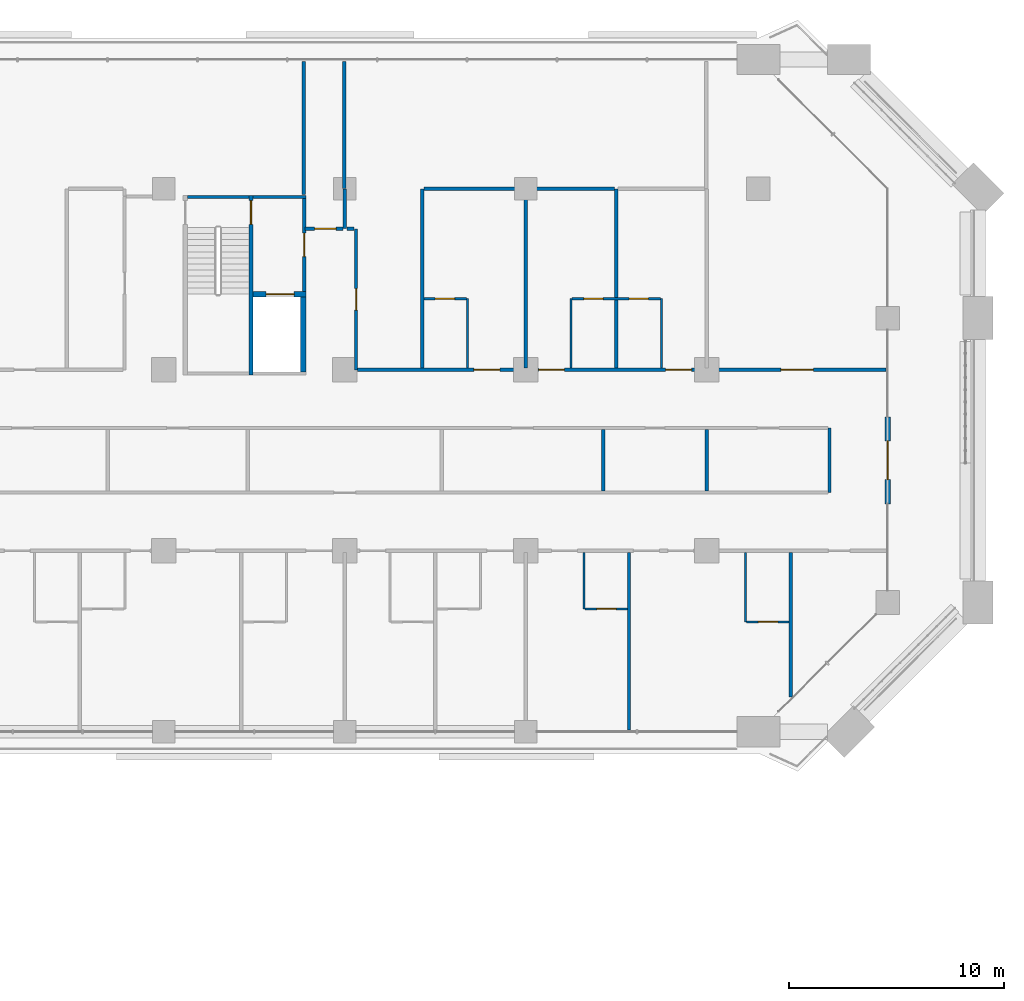
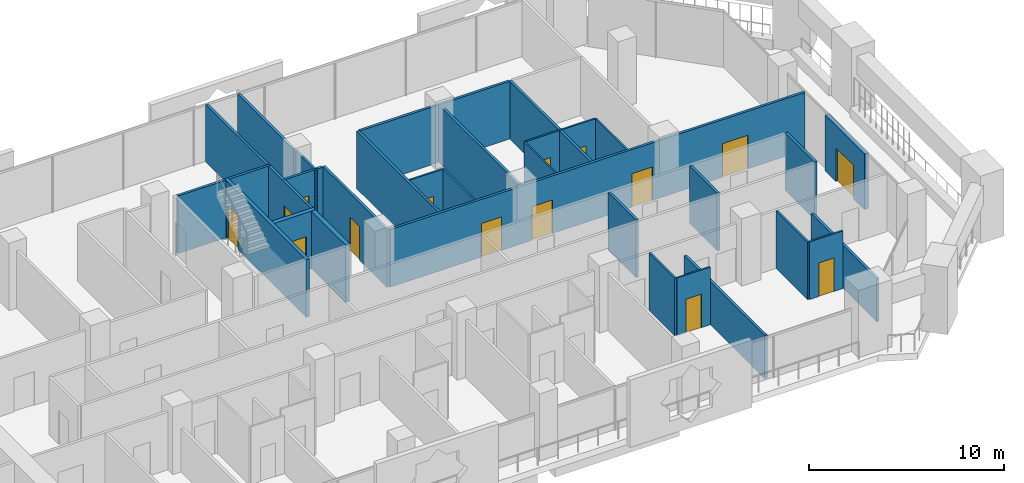
# One storey, part 18 of 25: 32 walls, 15 doors, 15 openings.
"""IFC4 building model written with IfcOpenShell, lengths in metres."""

from ifc_helpers import new_model, si_unit, direction, frame, frame_2d, origin, place, context, subcontext, project, spatial, rectangle, extrude, material, layer, layer_set, type_object, element, fill, save


model = new_model("IFC4")

# Units and contexts
model_context = context("Model", 3, precision=1e-05, world=origin(), true_north=direction((0.0, 1.0)))
body_context = subcontext(model_context, "Body", "Model", "MODEL_VIEW")
ifc_project = project(units=[si_unit("LENGTHUNIT", "METRE"), si_unit("AREAUNIT", "SQUARE_METRE"), si_unit("VOLUMEUNIT", "CUBIC_METRE"), si_unit("PLANEANGLEUNIT", "RADIAN"), si_unit("MASSUNIT", "GRAM", prefix="KILO")], contexts=[model_context])

# Site, building, storey
site_placement = place(None, origin())
site = spatial("IfcSite", under=ifc_project, at=site_placement, CompositionType="ELEMENT")
building_placement = place(site_placement, origin())
building = spatial("IfcBuilding", under=site, at=building_placement, Name="Kawkab Arch Medical Tower", CompositionType="ELEMENT")
storey_placement = place(building_placement, frame((0.0, 0.0, 111.39990234375)))
storey = spatial("IfcBuildingStorey", under=building, at=storey_placement, Name="L25", CompositionType="ELEMENT", Elevation=111.39990234375)

# Wall, opening, door
ifc_material_1 = material(Name="Gypsum board on steel studs", Category="steel")
ifc_layer_1 = layer(ifc_material_1, 0.14990234375)
ifc_layer_set_1 = layer_set([ifc_layer_1], Name="Gypsum board on steel studs")
wall_type_1 = type_object("IfcWallType", Name="Core room partition 150", PredefinedType="PARTITIONING", material=ifc_layer_set_1)
wall_1_placement = place(storey_placement, frame((48.52490234375, -4.77490234375, 0.0), z_axis=(0.0, 0.0, 1.0), x_axis=(0.0, 1.0, 0.0)))
wall_1 = element("IfcWall", 1, at=wall_1_placement, inside=storey, type_object=wall_type_1, Name="L25 core room partition", PredefinedType="PARTITIONING", context=body_context, shape_type="SweptSolid", body=[
    extrude(rectangle(XDim=4.324951171875, YDim=0.14990234375, at=frame_2d((2.16259765625, 0.0))), origin(), (0.0, 0.0, 1.0), 3.60009765625),
])
opening_1_placement = place(wall_1_placement, frame((1.625, 0.0, 0.0)))
opening_1 = element("IfcOpeningElement", 2, at=opening_1_placement, cuts=wall_1, Name="Opening FD", PredefinedType="OPENING", context=body_context, shape_type="SweptSolid", body=[
    extrude(rectangle(XDim=1.10009765625, YDim=2.10009765625, at=frame_2d((0.550048828125, 1.050048828125))), frame((0.0, 0.0849609375, 0.0), z_axis=(0.0, -1.0, 0.0), x_axis=(1.0, 0.0, 0.0)), (0.0, 0.0, 1.0), 0.169921875),
])
ifc_material_2 = material(Name="Hollow metal fire door leaf")
door_type_1 = type_object("IfcDoorType", Name="Firefighting lobby door 1100", OperationType="SINGLE_SWING_LEFT", PredefinedType="DOOR", material=ifc_material_2)
door_1_placement = place(opening_1_placement, origin())
door_1 = element("IfcDoor", 3, at=door_1_placement, inside=storey, type_object=door_type_1, Name="L25 Service lift lobby door SV1", OperationType="SINGLE_SWING_LEFT", OverallHeight=2.10009765625, OverallWidth=1.10009765625, PredefinedType="DOOR", context=body_context, shape_type="SweptSolid", body=[
    extrude(rectangle(XDim=1.10009765625, YDim=2.10009765625, at=frame_2d((0.550048828125, 1.050048828125))), frame((0.0, 0.02490234375, 0.0), z_axis=(0.0, -1.0, 0.0), x_axis=(1.0, 0.0, 0.0)), (0.0, 0.0, 1.0), 0.050048828125),
])
fill(opening_1, door_1)

ifc_material_3 = material(Name="Concrete C60/75", Category="concrete")
ifc_layer_2 = layer(ifc_material_3, 0.25)
ifc_layer_set_2 = layer_set([ifc_layer_2], Name="Concrete C60/75")
wall_type_2 = type_object("IfcWallType", Name="Core shear wall 250 C60/75", PredefinedType="SHEAR", material=ifc_layer_set_2)
wall_2_placement = place(storey_placement, frame((46.14990234375, -4.89990234375, 0.0), z_axis=(0.0, 0.0, 1.0), x_axis=(1.0, 0.0, 0.0)))
wall_2 = element("IfcWall", 4, at=wall_2_placement, inside=storey, type_object=wall_type_2, Name="L25 core shear wall", PredefinedType="SHEAR", context=body_context, shape_type="SweptSolid", body=[
    extrude(rectangle(XDim=2.4501953125, YDim=0.25, at=frame_2d((1.22509765625, 0.0))), origin(), (0.0, 0.0, 1.0), 3.60009765625),
])
opening_2_placement = place(wall_2_placement, frame((0.60009765625, 0.0, 0.0)))
opening_2 = element("IfcOpeningElement", 5, at=opening_2_placement, cuts=wall_2, Name="Opening LD2", PredefinedType="OPENING", context=body_context, shape_type="SweptSolid", body=[
    extrude(rectangle(XDim=1.300048828125, YDim=2.10009765625, at=frame_2d((0.64990234375, 1.050048828125))), frame((0.0, 0.135009765625, 0.0), z_axis=(0.0, -1.0, 0.0), x_axis=(1.0, 0.0, 0.0)), (0.0, 0.0, 1.0), 0.27001953125),
])
ifc_material_4 = material(Name="Stainless steel lift door leaf", Category="steel")
door_type_2 = type_object("IfcDoorType", Name="Lift landing door 1300", OperationType="DOUBLE_DOOR_SLIDING", PredefinedType="DOOR", material=ifc_material_4)
door_2_placement = place(opening_2_placement, origin())
door_2 = element("IfcDoor", 6, at=door_2_placement, inside=storey, type_object=door_type_2, Name="L25 Lift landing door SV1", OperationType="DOUBLE_DOOR_SLIDING", OverallHeight=2.10009765625, OverallWidth=1.300048828125, PredefinedType="DOOR", context=body_context, shape_type="SweptSolid", body=[
    extrude(rectangle(XDim=1.300048828125, YDim=2.10009765625, at=frame_2d((0.64990234375, 1.050048828125))), frame((0.0, 0.02490234375, 0.0), z_axis=(0.0, -1.0, 0.0), x_axis=(1.0, 0.0, 0.0)), (0.0, 0.0, 1.0), 0.050048828125),
])
fill(opening_2, door_2)

# Wall
wall_3_placement = place(storey_placement, frame((48.47509765625, -8.5, 0.0), z_axis=(0.0, 0.0, 1.0), x_axis=(0.0, 1.0, 0.0)))
element("IfcWall", 7, at=wall_3_placement, inside=storey, type_object=wall_type_2, Name="L25 core shear wall", PredefinedType="SHEAR", context=body_context, shape_type="SweptSolid", body=[
    extrude(rectangle(XDim=3.47509765625, YDim=0.25, at=frame_2d((1.737548828125, 0.0))), origin(), (0.0, 0.0, 1.0), 3.60009765625),
])

# Wall, opening, door
ifc_material_5 = material(Name="Bronze clad insulated wall panel")
ifc_layer_3 = layer(ifc_material_5, 0.25)
ifc_layer_set_3 = layer_set([ifc_layer_3], Name="Bronze clad insulated wall panel")
wall_type_3 = type_object("IfcWallType", Name="External wall bay 250", PredefinedType="SOLIDWALL", material=ifc_layer_set_3)
wall_4_placement = place(storey_placement, frame((75.60009765625, -14.61669921875, 0.0), z_axis=(0.0, 0.0, 1.0), x_axis=(0.0, 1.0, 0.0)))
wall_4 = element("IfcWall", 8, at=wall_4_placement, inside=storey, type_object=wall_type_3, Name="External wall bay L25.R09.1.2", PredefinedType="SOLIDWALL", context=body_context, shape_type="SweptSolid", body=[
    extrude(rectangle(XDim=4.033447265625, YDim=0.25, at=frame_2d((2.0166015625, 0.0))), origin(), (0.0, 0.0, 1.0), 3.47998046875),
])
opening_3_placement = place(wall_4_placement, frame((1.11669921875, 0.0, 0.0)))
opening_3 = element("IfcOpeningElement", 9, at=opening_3_placement, cuts=wall_4, Name="Opening W25-701", PredefinedType="OPENING", context=body_context, shape_type="SweptSolid", body=[
    extrude(rectangle(XDim=1.800048828125, YDim=2.10009765625, at=frame_2d((0.89990234375, 1.050048828125))), frame((0.0, 0.135009765625, 0.0), z_axis=(0.0, -1.0, 0.0), x_axis=(1.0, 0.0, 0.0)), (0.0, 0.0, 1.0), 0.27001953125),
])
ifc_material_6 = material(Name="Bronze anodised aluminium door with tinted glass", Category="aluminium")
door_type_3 = type_object("IfcDoorType", Name="Double external door 1800 x 2100", OperationType="DOUBLE_DOOR_SINGLE_SWING", PredefinedType="DOOR", material=ifc_material_6)
door_3_placement = place(opening_3_placement, origin())
door_3 = element("IfcDoor", 10, at=door_3_placement, inside=storey, type_object=door_type_3, Name="External door L25.R09.1.2", OperationType="DOUBLE_DOOR_SINGLE_SWING", OverallHeight=2.10009765625, OverallWidth=1.800048828125, PredefinedType="DOOR", context=body_context, shape_type="SweptSolid", body=[
    extrude(rectangle(XDim=1.800048828125, YDim=2.10009765625, at=frame_2d((0.89990234375, 1.050048828125))), frame((0.0, 0.02490234375, 0.0), z_axis=(0.0, -1.0, 0.0), x_axis=(1.0, 0.0, 0.0)), (0.0, 0.0, 1.0), 0.050048828125),
])
fill(opening_3, door_3)

ifc_material_7 = material(Name="Gypsum board partition on steel studs", Category="steel")
ifc_layer_4 = layer(ifc_material_7, 0.10009765625)
ifc_layer_set_4 = layer_set([ifc_layer_4], Name="Gypsum board partition on steel studs")
wall_type_4 = type_object("IfcWallType", Name="Partition 100", PredefinedType="PARTITIONING", material=ifc_layer_set_4)
wall_5_placement = place(storey_placement, frame((69.052001953125, -20.10009765625, 0.0), z_axis=(0.0, 0.0, 1.0), x_axis=(1.0, 0.0, 0.0)))
wall_5 = element("IfcWall", 11, at=wall_5_placement, inside=storey, type_object=wall_type_4, Name="Partition 100 w009", PredefinedType="PARTITIONING", context=body_context, shape_type="SweptSolid", body=[
    extrude(rectangle(XDim=1.972900390625, YDim=0.10009765625, at=frame_2d((0.986328125, 0.0))), origin(), (0.0, 0.0, 1.0), 3.60009765625),
])
opening_4_placement = place(wall_5_placement, frame((0.549072265625, 0.0, 0.0)))
opening_4 = element("IfcOpeningElement", 12, at=opening_4_placement, cuts=wall_5, Name="Opening W25-015", PredefinedType="OPENING", context=body_context, shape_type="SweptSolid", body=[
    extrude(rectangle(XDim=0.89990234375, YDim=2.10009765625, at=frame_2d((0.449951171875, 1.050048828125))), frame((0.0, 0.06005859375, 0.0), z_axis=(0.0, -1.0, 0.0), x_axis=(1.0, 0.0, 0.0)), (0.0, 0.0, 1.0), 0.1201171875),
])
ifc_material_8 = material(Name="Timber door leaf", Category="wood")
door_type_4 = type_object("IfcDoorType", Name="Single door 900x2100", OperationType="NOTDEFINED", PredefinedType="DOOR", material=ifc_material_8)
door_4_placement = place(opening_4_placement, origin())
door_4 = element("IfcDoor", 13, at=door_4_placement, inside=storey, type_object=door_type_4, Name="Door W25-015", OperationType="SINGLE_SWING_LEFT", OverallHeight=2.10009765625, OverallWidth=0.89990234375, PredefinedType="DOOR", context=body_context, shape_type="SweptSolid", body=[
    extrude(rectangle(XDim=0.89990234375, YDim=2.10009765625, at=frame_2d((0.449951171875, 1.050048828125))), frame((0.0, 0.02490234375, 0.0), z_axis=(0.0, -1.0, 0.0), x_axis=(1.0, 0.0, 0.0)), (0.0, 0.0, 1.0), 0.050048828125),
])
fill(opening_4, door_4)

wall_6_placement = place(storey_placement, frame((61.550048828125, -19.5, 0.0), z_axis=(0.0, 0.0, 1.0), x_axis=(1.0, 0.0, 0.0)))
wall_6 = element("IfcWall", 14, at=wall_6_placement, inside=storey, type_object=wall_type_4, Name="Partition 100 w012", PredefinedType="PARTITIONING", context=body_context, shape_type="SweptSolid", body=[
    extrude(rectangle(XDim=1.974853515625, YDim=0.10009765625, at=frame_2d((0.9873046875, 0.0))), origin(), (0.0, 0.0, 1.0), 3.60009765625),
])
opening_5_placement = place(wall_6_placement, frame((0.550048828125, 0.0, 0.0)))
opening_5 = element("IfcOpeningElement", 15, at=opening_5_placement, cuts=wall_6, Name="Opening W25-014", PredefinedType="OPENING", context=body_context, shape_type="SweptSolid", body=[
    extrude(rectangle(XDim=0.89990234375, YDim=2.10009765625, at=frame_2d((0.449951171875, 1.050048828125))), frame((0.0, 0.06005859375, 0.0), z_axis=(0.0, -1.0, 0.0), x_axis=(1.0, 0.0, 0.0)), (0.0, 0.0, 1.0), 0.1201171875),
])
door_5_placement = place(opening_5_placement, origin())
door_5 = element("IfcDoor", 16, at=door_5_placement, inside=storey, type_object=door_type_4, Name="Door W25-014", OperationType="SINGLE_SWING_RIGHT", OverallHeight=2.10009765625, OverallWidth=0.89990234375, PredefinedType="DOOR", context=body_context, shape_type="SweptSolid", body=[
    extrude(rectangle(XDim=0.89990234375, YDim=2.10009765625, at=frame_2d((0.449951171875, 1.050048828125))), frame((0.0, 0.02490234375, 0.0), z_axis=(0.0, -1.0, 0.0), x_axis=(1.0, 0.0, 0.0)), (0.0, 0.0, 1.0), 0.050048828125),
])
fill(opening_5, door_5)

wall_7_placement = place(storey_placement, frame((54.074951171875, -5.10009765625, 0.0), z_axis=(0.0, 0.0, 1.0), x_axis=(1.0, 0.0, 0.0)))
wall_7 = element("IfcWall", 17, at=wall_7_placement, inside=storey, type_object=wall_type_4, Name="Partition 100 w013", PredefinedType="PARTITIONING", context=body_context, shape_type="SweptSolid", body=[
    extrude(rectangle(XDim=1.97509765625, YDim=0.10009765625, at=frame_2d((0.987548828125, 0.0))), origin(), (0.0, 0.0, 1.0), 3.60009765625),
])
opening_6_placement = place(wall_7_placement, frame((0.52490234375, 0.0, 0.0)))
opening_6 = element("IfcOpeningElement", 18, at=opening_6_placement, cuts=wall_7, Name="Opening W25-005", PredefinedType="OPENING", context=body_context, shape_type="SweptSolid", body=[
    extrude(rectangle(XDim=0.89990234375, YDim=2.10009765625, at=frame_2d((0.449951171875, 1.050048828125))), frame((0.0, 0.06005859375, 0.0), z_axis=(0.0, -1.0, 0.0), x_axis=(1.0, 0.0, 0.0)), (0.0, 0.0, 1.0), 0.1201171875),
])
door_6_placement = place(opening_6_placement, origin())
door_6 = element("IfcDoor", 19, at=door_6_placement, inside=storey, type_object=door_type_4, Name="Door W25-005", OperationType="SINGLE_SWING_RIGHT", OverallHeight=2.10009765625, OverallWidth=0.89990234375, PredefinedType="DOOR", context=body_context, shape_type="SweptSolid", body=[
    extrude(rectangle(XDim=0.89990234375, YDim=2.10009765625, at=frame_2d((0.449951171875, 1.050048828125))), frame((0.0, 0.02490234375, 0.0), z_axis=(0.0, -1.0, 0.0), x_axis=(1.0, 0.0, 0.0)), (0.0, 0.0, 1.0), 0.050048828125),
])
fill(opening_6, door_6)

# Wall, openings, doors
wall_8_placement = place(storey_placement, frame((60.949951171875, -5.10009765625, 0.0), z_axis=(0.0, 0.0, 1.0), x_axis=(1.0, 0.0, 0.0)))
wall_8 = element("IfcWall", 20, at=wall_8_placement, inside=storey, type_object=wall_type_4, Name="Partition 100 w014", PredefinedType="PARTITIONING", context=body_context, shape_type="SweptSolid", body=[
    extrude(rectangle(XDim=4.10009765625, YDim=0.10009765625, at=frame_2d((2.050048828125, 0.0))), origin(), (0.0, 0.0, 1.0), 3.60009765625),
])
opening_7_placement = place(wall_8_placement, frame((0.550048828125, 0.0, 0.0)))
opening_7 = element("IfcOpeningElement", 21, at=opening_7_placement, cuts=wall_8, Name="Opening W25-006", PredefinedType="OPENING", context=body_context, shape_type="SweptSolid", body=[
    extrude(rectangle(XDim=0.89990234375, YDim=2.10009765625, at=frame_2d((0.449951171875, 1.050048828125))), frame((0.0, 0.06005859375, 0.0), z_axis=(0.0, -1.0, 0.0), x_axis=(1.0, 0.0, 0.0)), (0.0, 0.0, 1.0), 0.1201171875),
])
opening_8_placement = place(wall_8_placement, frame((2.64990234375, 0.0, 0.0)))
opening_8 = element("IfcOpeningElement", 22, at=opening_8_placement, cuts=wall_8, Name="Opening W25-007", PredefinedType="OPENING", context=body_context, shape_type="SweptSolid", body=[
    extrude(rectangle(XDim=0.89990234375, YDim=2.10009765625, at=frame_2d((0.449951171875, 1.050048828125))), frame((0.0, 0.06005859375, 0.0), z_axis=(0.0, -1.0, 0.0), x_axis=(1.0, 0.0, 0.0)), (0.0, 0.0, 1.0), 0.1201171875),
])
door_7_placement = place(opening_7_placement, origin())
door_7 = element("IfcDoor", 23, at=door_7_placement, inside=storey, type_object=door_type_4, Name="Door W25-006", OperationType="SINGLE_SWING_LEFT", OverallHeight=2.10009765625, OverallWidth=0.89990234375, PredefinedType="DOOR", context=body_context, shape_type="SweptSolid", body=[
    extrude(rectangle(XDim=0.89990234375, YDim=2.10009765625, at=frame_2d((0.449951171875, 1.050048828125))), frame((0.0, 0.02490234375, 0.0), z_axis=(0.0, -1.0, 0.0), x_axis=(1.0, 0.0, 0.0)), (0.0, 0.0, 1.0), 0.050048828125),
])
fill(opening_7, door_7)
door_8_placement = place(opening_8_placement, origin())
door_8 = element("IfcDoor", 24, at=door_8_placement, inside=storey, type_object=door_type_4, Name="Door W25-007", OperationType="SINGLE_SWING_RIGHT", OverallHeight=2.10009765625, OverallWidth=0.89990234375, PredefinedType="DOOR", context=body_context, shape_type="SweptSolid", body=[
    extrude(rectangle(XDim=0.89990234375, YDim=2.10009765625, at=frame_2d((0.449951171875, 1.050048828125))), frame((0.0, 0.02490234375, 0.0), z_axis=(0.0, -1.0, 0.0), x_axis=(1.0, 0.0, 0.0)), (0.0, 0.0, 1.0), 0.050048828125),
])
fill(opening_8, door_8)

# Walls
for number, where, z_axis, x_axis, name in (
    (25, (56.10009765625, -8.324951171875, 0.0), (0.0, 0.0, 1.0), (0.0, 1.0, 0.0), "Partition 100 w022"),
    (26, (60.89990234375, -8.324951171875, 0.0), (0.0, 0.0, 1.0), (0.0, 1.0, 0.0), "Partition 100 w024"),
):
    element("IfcWall", number, at=place(storey_placement, frame(where, z_axis=z_axis, x_axis=x_axis)), inside=storey, type_object=wall_type_4, Name=name, PredefinedType="PARTITIONING", context=body_context, shape_type="SweptSolid", body=[
        extrude(rectangle(XDim=3.224853515625, YDim=0.10009765625, at=frame_2d((1.6123046875, 0.0))), origin(), (0.0, 0.0, 1.0), 3.60009765625),
    ])
wall_9_placement = place(storey_placement, frame((61.5, -19.5, 0.0), z_axis=(0.0, 0.0, 1.0), x_axis=(0.0, 1.0, 0.0)))
element("IfcWall", 27, at=wall_9_placement, inside=storey, type_object=wall_type_4, Name="Partition 100 w025", PredefinedType="PARTITIONING", context=body_context, shape_type="SweptSolid", body=[
    extrude(rectangle(XDim=2.625, YDim=0.10009765625, at=frame_2d((1.3125, 0.0))), origin(), (0.0, 0.0, 1.0), 3.60009765625),
])
wall_10_placement = place(storey_placement, frame((65.10009765625, -8.324951171875, 0.0), z_axis=(0.0, 0.0, 1.0), x_axis=(0.0, 1.0, 0.0)))
element("IfcWall", 28, at=wall_10_placement, inside=storey, type_object=wall_type_4, Name="Partition 100 w026", PredefinedType="PARTITIONING", context=body_context, shape_type="SweptSolid", body=[
    extrude(rectangle(XDim=3.224853515625, YDim=0.10009765625, at=frame_2d((1.6123046875, 0.0))), origin(), (0.0, 0.0, 1.0), 3.60009765625),
])
wall_11_placement = place(storey_placement, frame((69.0, -20.09912109375, 0.0), z_axis=(0.0, 0.0, 1.0), x_axis=(0.0, 1.0, 0.0)))
element("IfcWall", 29, at=wall_11_placement, inside=storey, type_object=wall_type_4, Name="Partition 100 w027", PredefinedType="PARTITIONING", context=body_context, shape_type="SweptSolid", body=[
    extrude(rectangle(XDim=3.22412109375, YDim=0.10009765625, at=frame_2d((1.612060546875, 0.0))), origin(), (0.0, 0.0, 1.0), 3.60009765625),
])

# Wall, openings, doors
ifc_material_9 = material(Name="Gypsum board partition on steel studs, mineral wool", Category="steel")
ifc_layer_5 = layer(ifc_material_9, 0.14990234375)
ifc_layer_set_5 = layer_set([ifc_layer_5], Name="Gypsum board partition on steel studs, mineral wool")
wall_type_5 = type_object("IfcWallType", Name="Partition 150", PredefinedType="PARTITIONING", material=ifc_layer_set_5)
wall_12_placement = place(storey_placement, frame((51.0, -8.39990234375, 0.0), z_axis=(0.0, 0.0, 1.0), x_axis=(1.0, 0.0, 0.0)))
wall_12 = element("IfcWall", 30, at=wall_12_placement, inside=storey, type_object=wall_type_5, Name="Partition 150 w047", PredefinedType="PARTITIONING", context=body_context, shape_type="SweptSolid", body=[
    extrude(rectangle(XDim=24.52001953125, YDim=0.14990234375, at=frame_2d((12.260009765625, 0.0))), origin(), (0.0, 0.0, 1.0), 3.60009765625),
])
opening_9_placement = place(wall_12_placement, frame((5.39990234375, 0.0, 0.0)))
opening_9 = element("IfcOpeningElement", 31, at=opening_9_placement, cuts=wall_12, Name="Opening W25-040", PredefinedType="OPENING", context=body_context, shape_type="SweptSolid", body=[
    extrude(rectangle(XDim=1.199951171875, YDim=2.10009765625, at=frame_2d((0.60009765625, 1.050048828125))), frame((0.0, 0.0849609375, 0.0), z_axis=(0.0, -1.0, 0.0), x_axis=(1.0, 0.0, 0.0)), (0.0, 0.0, 1.0), 0.169921875),
])
opening_10_placement = place(wall_12_placement, frame((8.39990234375, 0.0, 0.0)))
opening_10 = element("IfcOpeningElement", 32, at=opening_10_placement, cuts=wall_12, Name="Opening W25-041", PredefinedType="OPENING", context=body_context, shape_type="SweptSolid", body=[
    extrude(rectangle(XDim=1.199951171875, YDim=2.10009765625, at=frame_2d((0.60009765625, 1.050048828125))), frame((0.0, 0.0849609375, 0.0), z_axis=(0.0, -1.0, 0.0), x_axis=(1.0, 0.0, 0.0)), (0.0, 0.0, 1.0), 0.169921875),
])
opening_11_placement = place(wall_12_placement, frame((14.300048828125, 0.0, 0.0)))
opening_11 = element("IfcOpeningElement", 33, at=opening_11_placement, cuts=wall_12, Name="Opening W25-042", PredefinedType="OPENING", context=body_context, shape_type="SweptSolid", body=[
    extrude(rectangle(XDim=1.199951171875, YDim=2.10009765625, at=frame_2d((0.60009765625, 1.050048828125))), frame((0.0, 0.0849609375, 0.0), z_axis=(0.0, -1.0, 0.0), x_axis=(1.0, 0.0, 0.0)), (0.0, 0.0, 1.0), 0.169921875),
])
opening_12_placement = place(wall_12_placement, frame((19.64990234375, 0.0, 0.0)))
opening_12 = element("IfcOpeningElement", 34, at=opening_12_placement, cuts=wall_12, Name="Opening W25-002", PredefinedType="OPENING", context=body_context, shape_type="SweptSolid", body=[
    extrude(rectangle(XDim=1.5, YDim=2.10009765625, at=frame_2d((0.75, 1.050048828125))), frame((0.0, 0.0849609375, 0.0), z_axis=(0.0, -1.0, 0.0), x_axis=(1.0, 0.0, 0.0)), (0.0, 0.0, 1.0), 0.169921875),
])
ifc_material_10 = material(Name="Hollow metal door leaf")
door_type_5 = type_object("IfcDoorType", Name="Double door 1500x2100 FD30S", OperationType="NOTDEFINED", PredefinedType="DOOR", material=ifc_material_10)
door_9_placement = place(opening_12_placement, origin())
door_9 = element("IfcDoor", 35, at=door_9_placement, inside=storey, type_object=door_type_5, Name="Door W25-002", OperationType="DOUBLE_DOOR_SINGLE_SWING", OverallHeight=2.10009765625, OverallWidth=1.5, PredefinedType="DOOR", context=body_context, shape_type="SweptSolid", body=[
    extrude(rectangle(XDim=1.5, YDim=2.10009765625, at=frame_2d((0.75, 1.050048828125))), frame((0.0, 0.02490234375, 0.0), z_axis=(0.0, -1.0, 0.0), x_axis=(1.0, 0.0, 0.0)), (0.0, 0.0, 1.0), 0.050048828125),
])
fill(opening_12, door_9)
ifc_material_11 = material(Name="Hollow metal door leaf")
door_type_6 = type_object("IfcDoorType", Name="Single door 1200x2100 FD30S", OperationType="NOTDEFINED", PredefinedType="DOOR", material=ifc_material_11)
door_10_placement = place(opening_9_placement, origin())
door_10 = element("IfcDoor", 36, at=door_10_placement, inside=storey, type_object=door_type_6, Name="Door W25-040", OperationType="SINGLE_SWING_LEFT", OverallHeight=2.10009765625, OverallWidth=1.199951171875, PredefinedType="DOOR", context=body_context, shape_type="SweptSolid", body=[
    extrude(rectangle(XDim=1.199951171875, YDim=2.10009765625, at=frame_2d((0.60009765625, 1.050048828125))), frame((0.0, 0.02490234375, 0.0), z_axis=(0.0, -1.0, 0.0), x_axis=(1.0, 0.0, 0.0)), (0.0, 0.0, 1.0), 0.050048828125),
])
fill(opening_9, door_10)
door_11_placement = place(opening_10_placement, origin())
door_11 = element("IfcDoor", 37, at=door_11_placement, inside=storey, type_object=door_type_6, Name="Door W25-041", OperationType="SINGLE_SWING_LEFT", OverallHeight=2.10009765625, OverallWidth=1.199951171875, PredefinedType="DOOR", context=body_context, shape_type="SweptSolid", body=[
    extrude(rectangle(XDim=1.199951171875, YDim=2.10009765625, at=frame_2d((0.60009765625, 1.050048828125))), frame((0.0, 0.02490234375, 0.0), z_axis=(0.0, -1.0, 0.0), x_axis=(1.0, 0.0, 0.0)), (0.0, 0.0, 1.0), 0.050048828125),
])
fill(opening_10, door_11)
door_12_placement = place(opening_11_placement, origin())
door_12 = element("IfcDoor", 38, at=door_12_placement, inside=storey, type_object=door_type_6, Name="Door W25-042", OperationType="SINGLE_SWING_RIGHT", OverallHeight=2.10009765625, OverallWidth=1.199951171875, PredefinedType="DOOR", context=body_context, shape_type="SweptSolid", body=[
    extrude(rectangle(XDim=1.199951171875, YDim=2.10009765625, at=frame_2d((0.60009765625, 1.050048828125))), frame((0.0, 0.02490234375, 0.0), z_axis=(0.0, -1.0, 0.0), x_axis=(1.0, 0.0, 0.0)), (0.0, 0.0, 1.0), 0.050048828125),
])
fill(opening_11, door_12)

# Wall, opening, door
wall_13_placement = place(storey_placement, frame((48.550048828125, -1.85009765625, 0.0), z_axis=(0.0, 0.0, 1.0), x_axis=(1.0, 0.0, 0.0)))
wall_13 = element("IfcWall", 39, at=wall_13_placement, inside=storey, type_object=wall_type_5, Name="Partition 150 w048", PredefinedType="PARTITIONING", context=body_context, shape_type="SweptSolid", body=[
    extrude(rectangle(XDim=1.77490234375, YDim=0.14990234375, at=frame_2d((0.887451171875, 0.0))), origin(), (0.0, 0.0, 1.0), 3.60009765625),
])
opening_13_placement = place(wall_13_placement, frame((0.449951171875, 0.0, 0.0)))
opening_13 = element("IfcOpeningElement", 40, at=opening_13_placement, cuts=wall_13, Name="Opening W25-026", PredefinedType="OPENING", context=body_context, shape_type="SweptSolid", body=[
    extrude(rectangle(XDim=1.0, YDim=2.10009765625, at=frame_2d((0.5, 1.050048828125))), frame((0.0, 0.0849609375, 0.0), z_axis=(0.0, -1.0, 0.0), x_axis=(1.0, 0.0, 0.0)), (0.0, 0.0, 1.0), 0.169921875),
])
ifc_material_12 = material(Name="Hollow metal door leaf")
door_type_7 = type_object("IfcDoorType", Name="Single door 1000x2100 FD30S", OperationType="NOTDEFINED", PredefinedType="DOOR", material=ifc_material_12)
door_13_placement = place(opening_13_placement, origin())
door_13 = element("IfcDoor", 41, at=door_13_placement, inside=storey, type_object=door_type_7, Name="Door W25-026", OperationType="SINGLE_SWING_LEFT", OverallHeight=2.10009765625, OverallWidth=1.0, PredefinedType="DOOR", context=body_context, shape_type="SweptSolid", body=[
    extrude(rectangle(XDim=1.0, YDim=2.10009765625, at=frame_2d((0.5, 1.050048828125))), frame((0.0, 0.02490234375, 0.0), z_axis=(0.0, -1.0, 0.0), x_axis=(1.0, 0.0, 0.0)), (0.0, 0.0, 1.0), 0.050048828125),
])
fill(opening_13, door_13)

# Walls
wall_14_placement = place(storey_placement, frame((50.4951171875, -1.85009765625, 0.0), z_axis=(0.0, 0.0, 1.0), x_axis=(1.0, 0.0, 0.0)))
element("IfcWall", 42, at=wall_14_placement, inside=storey, type_object=wall_type_5, Name="Partition 150 w049", PredefinedType="PARTITIONING", context=body_context, shape_type="SweptSolid", body=[
    extrude(rectangle(XDim=0.3349609375, YDim=0.14990234375, at=frame_2d((0.16748046875, 0.0))), origin(), (0.0, 0.0, 1.0), 3.60009765625),
])
wall_15_placement = place(storey_placement, frame((54.0791015625, 0.0, 0.0), z_axis=(0.0, 0.0, 1.0), x_axis=(1.0, 0.0, 0.0)))
element("IfcWall", 43, at=wall_15_placement, inside=storey, type_object=wall_type_5, Name="Partition 150 w052", PredefinedType="PARTITIONING", context=body_context, shape_type="SweptSolid", body=[
    extrude(rectangle(XDim=8.845947265625, YDim=0.14990234375, at=frame_2d((4.4228515625, 0.0))), origin(), (0.0, 0.0, 1.0), 3.60009765625),
])
wall_16_placement = place(storey_placement, frame((48.5, -0.27001953125, 0.0), z_axis=(0.0, 0.0, 1.0), x_axis=(0.0, 1.0, 0.0)))
element("IfcWall", 44, at=wall_16_placement, inside=storey, type_object=wall_type_5, Name="Partition 150 w074", PredefinedType="PARTITIONING", context=body_context, shape_type="SweptSolid", body=[
    extrude(rectangle(XDim=6.18994140625, YDim=0.14990234375, at=frame_2d((3.094970703125, 0.0))), origin(), (0.0, 0.0, 1.0), 3.60009765625),
])
wall_17_placement = place(storey_placement, frame((50.3798828125, 0.02001953125, 0.0), z_axis=(0.0, 0.0, 1.0), x_axis=(0.0, 1.0, 0.0)))
element("IfcWall", 45, at=wall_17_placement, inside=storey, type_object=wall_type_5, Name="Partition 150 w075", PredefinedType="PARTITIONING", context=body_context, shape_type="SweptSolid", body=[
    extrude(rectangle(XDim=5.89990234375, YDim=0.14990234375, at=frame_2d((2.949951171875, 0.0))), origin(), (0.0, 0.0, 1.0), 3.60009765625),
])
wall_18_placement = place(storey_placement, frame((50.39990234375, -1.830078125, 0.0), z_axis=(0.0, 0.0, 1.0), x_axis=(0.0, 1.0, 0.0)))
element("IfcWall", 46, at=wall_18_placement, inside=storey, type_object=wall_type_5, Name="Partition 150 w077", PredefinedType="PARTITIONING", context=body_context, shape_type="SweptSolid", body=[
    extrude(rectangle(XDim=1.8251953125, YDim=0.14990234375, at=frame_2d((0.91259765625, 0.0))), origin(), (0.0, 0.0, 1.0), 3.60009765625),
])

# Wall, opening, door
wall_19_placement = place(storey_placement, frame((50.925048828125, -8.39990234375, 0.0), z_axis=(0.0, 0.0, 1.0), x_axis=(0.0, 1.0, 0.0)))
wall_19 = element("IfcWall", 47, at=wall_19_placement, inside=storey, type_object=wall_type_5, Name="Partition 150 w078", PredefinedType="PARTITIONING", context=body_context, shape_type="SweptSolid", body=[
    extrude(rectangle(XDim=6.5478515625, YDim=0.14990234375, at=frame_2d((3.27392578125, 0.0))), origin(), (0.0, 0.0, 1.0), 3.60009765625),
])
opening_14_placement = place(wall_19_placement, frame((2.77392578125, 0.0, 0.0)))
opening_14 = element("IfcOpeningElement", 48, at=opening_14_placement, cuts=wall_19, Name="Opening W25-027", PredefinedType="OPENING", context=body_context, shape_type="SweptSolid", body=[
    extrude(rectangle(XDim=1.0, YDim=2.10009765625, at=frame_2d((0.5, 1.050048828125))), frame((0.0, 0.0849609375, 0.0), z_axis=(0.0, -1.0, 0.0), x_axis=(1.0, 0.0, 0.0)), (0.0, 0.0, 1.0), 0.169921875),
])
door_14_placement = place(opening_14_placement, origin())
door_14 = element("IfcDoor", 49, at=door_14_placement, inside=storey, type_object=door_type_7, Name="Door W25-027", OperationType="SINGLE_SWING_LEFT", OverallHeight=2.10009765625, OverallWidth=1.0, PredefinedType="DOOR", context=body_context, shape_type="SweptSolid", body=[
    extrude(rectangle(XDim=1.0, YDim=2.10009765625, at=frame_2d((0.5, 1.050048828125))), frame((0.0, 0.02490234375, 0.0), z_axis=(0.0, -1.0, 0.0), x_axis=(1.0, 0.0, 0.0)), (0.0, 0.0, 1.0), 0.050048828125),
])
fill(opening_14, door_14)

# Walls
wall_20_placement = place(storey_placement, frame((54.0, -8.324951171875, 0.0), z_axis=(0.0, 0.0, 1.0), x_axis=(0.0, 1.0, 0.0)))
element("IfcWall", 50, at=wall_20_placement, inside=storey, type_object=wall_type_5, Name="Partition 150 w079", PredefinedType="PARTITIONING", context=body_context, shape_type="SweptSolid", body=[
    extrude(rectangle(XDim=8.322021484375, YDim=0.14990234375, at=frame_2d((4.1611328125, 0.0))), origin(), (0.0, 0.0, 1.0), 3.60009765625),
])
wall_21_placement = place(storey_placement, frame((58.800048828125, -8.324951171875, 0.0), z_axis=(0.0, 0.0, 1.0), x_axis=(0.0, 1.0, 0.0)))
element("IfcWall", 51, at=wall_21_placement, inside=storey, type_object=wall_type_5, Name="Partition 150 w083", PredefinedType="PARTITIONING", context=body_context, shape_type="SweptSolid", body=[
    extrude(rectangle(XDim=8.25, YDim=0.14990234375, at=frame_2d((4.125, 0.0))), origin(), (0.0, 0.0, 1.0), 3.60009765625),
])
wall_22_placement = place(storey_placement, frame((62.39990234375, -14.02490234375, 0.0), z_axis=(0.0, 0.0, 1.0), x_axis=(0.0, 1.0, 0.0)))
element("IfcWall", 52, at=wall_22_placement, inside=storey, type_object=wall_type_5, Name="Partition 150 w084", PredefinedType="PARTITIONING", context=body_context, shape_type="SweptSolid", body=[
    extrude(rectangle(XDim=2.849853515625, YDim=0.14990234375, at=frame_2d((1.4248046875, 0.0))), origin(), (0.0, 0.0, 1.0), 3.60009765625),
])
wall_23_placement = place(storey_placement, frame((63.0, -8.324951171875, 0.0), z_axis=(0.0, 0.0, 1.0), x_axis=(0.0, 1.0, 0.0)))
element("IfcWall", 53, at=wall_23_placement, inside=storey, type_object=wall_type_5, Name="Partition 150 w085", PredefinedType="PARTITIONING", context=body_context, shape_type="SweptSolid", body=[
    extrude(rectangle(XDim=8.324951171875, YDim=0.14990234375, at=frame_2d((4.16259765625, 0.0))), origin(), (0.0, 0.0, 1.0), 3.60009765625),
])
wall_24_placement = place(storey_placement, frame((63.60009765625, -25.1201171875, 0.0), z_axis=(0.0, 0.0, 1.0), x_axis=(0.0, 1.0, 0.0)))
element("IfcWall", 54, at=wall_24_placement, inside=storey, type_object=wall_type_5, Name="Partition 150 w086", PredefinedType="PARTITIONING", context=body_context, shape_type="SweptSolid", body=[
    extrude(rectangle(XDim=8.2451171875, YDim=0.14990234375, at=frame_2d((4.12255859375, 0.0))), origin(), (0.0, 0.0, 1.0), 2.7001953125),
])
wall_25_placement = place(storey_placement, frame((67.199951171875, -14.02490234375, 0.0), z_axis=(0.0, 0.0, 1.0), x_axis=(0.0, 1.0, 0.0)))
element("IfcWall", 55, at=wall_25_placement, inside=storey, type_object=wall_type_5, Name="Partition 150 w088", PredefinedType="PARTITIONING", context=body_context, shape_type="SweptSolid", body=[
    extrude(rectangle(XDim=2.849853515625, YDim=0.14990234375, at=frame_2d((1.4248046875, 0.0))), origin(), (0.0, 0.0, 1.0), 3.60009765625),
])
wall_26_placement = place(storey_placement, frame((71.10009765625, -23.5869140625, 0.0), z_axis=(0.0, 0.0, 1.0), x_axis=(0.0, 1.0, 0.0)))
element("IfcWall", 56, at=wall_26_placement, inside=storey, type_object=wall_type_5, Name="Partition 150 w090", PredefinedType="PARTITIONING", context=body_context, shape_type="SweptSolid", body=[
    extrude(rectangle(XDim=6.7119140625, YDim=0.14990234375, at=frame_2d((3.35595703125, 0.0))), origin(), (0.0, 0.0, 1.0), 2.7001953125),
])
wall_27_placement = place(storey_placement, frame((72.89990234375, -14.10009765625, 0.0), z_axis=(0.0, 0.0, 1.0), x_axis=(0.0, 1.0, 0.0)))
element("IfcWall", 57, at=wall_27_placement, inside=storey, type_object=wall_type_5, Name="Partition 150 w091", PredefinedType="PARTITIONING", context=body_context, shape_type="SweptSolid", body=[
    extrude(rectangle(XDim=3.0, YDim=0.14990234375, at=frame_2d((1.5, 0.0))), origin(), (0.0, 0.0, 1.0), 3.60009765625),
])
ifc_material_13 = material(Name="Concrete C50/60", Category="concrete")
ifc_layer_6 = layer(ifc_material_13, 0.14990234375)
ifc_layer_set_6 = layer_set([ifc_layer_6], Name="Concrete C50/60")
wall_type_6 = type_object("IfcWallType", Name="Stair enclosure wall 150 C50/60", PredefinedType="SHEAR", material=ifc_layer_set_6)
wall_28_placement = place(storey_placement, frame((43.10009765625, -0.375, 0.0), z_axis=(0.0, 0.0, 1.0), x_axis=(1.0, 0.0, 0.0)))
element("IfcWall", 58, at=wall_28_placement, inside=storey, type_object=wall_type_6, Name="L25 stair enclosure wall", PredefinedType="SHEAR", context=body_context, shape_type="SweptSolid", body=[
    extrude(rectangle(XDim=2.849853515625, YDim=0.14990234375, at=frame_2d((1.4248046875, 0.0))), origin(), (0.0, 0.0, 1.0), 3.60009765625),
])
wall_29_placement = place(storey_placement, frame((46.14990234375, -0.375, 0.0), z_axis=(0.0, 0.0, 1.0), x_axis=(1.0, 0.0, 0.0)))
element("IfcWall", 59, at=wall_29_placement, inside=storey, type_object=wall_type_6, Name="L25 stair enclosure wall", PredefinedType="SHEAR", context=body_context, shape_type="SweptSolid", body=[
    extrude(rectangle(XDim=2.4501953125, YDim=0.14990234375, at=frame_2d((1.22509765625, 0.0))), origin(), (0.0, 0.0, 1.0), 3.60009765625),
])

# Wall, opening, door
ifc_material_14 = material(Name="Concrete C50/60", Category="concrete")
ifc_layer_7 = layer(ifc_material_14, 0.199951171875)
ifc_layer_set_7 = layer_set([ifc_layer_7], Name="Concrete C50/60")
wall_type_7 = type_object("IfcWallType", Name="Stair enclosure wall 200 C50/60", PredefinedType="SHEAR", material=ifc_layer_set_7)
wall_30_placement = place(storey_placement, frame((46.050048828125, -8.64990234375, 0.0), z_axis=(0.0, 0.0, 1.0), x_axis=(0.0, 1.0, 0.0)))
wall_30 = element("IfcWall", 60, at=wall_30_placement, inside=storey, type_object=wall_type_7, Name="L25 stair enclosure wall", PredefinedType="SHEAR", context=body_context, shape_type="SweptSolid", body=[
    extrude(rectangle(XDim=8.349853515625, YDim=0.199951171875, at=frame_2d((4.1748046875, 0.0))), origin(), (0.0, 0.0, 1.0), 3.60009765625),
])
opening_15_placement = place(wall_30_placement, frame((7.0, 0.0, 0.0)))
opening_15 = element("IfcOpeningElement", 61, at=opening_15_placement, cuts=wall_30, Name="Opening SD", PredefinedType="OPENING", context=body_context, shape_type="SweptSolid", body=[
    extrude(rectangle(XDim=1.10009765625, YDim=2.10009765625, at=frame_2d((0.550048828125, 1.050048828125))), frame((0.0, 0.10986328125, 0.0), z_axis=(0.0, -1.0, 0.0), x_axis=(1.0, 0.0, 0.0)), (0.0, 0.0, 1.0), 0.219970703125),
])
ifc_material_15 = material(Name="Hollow metal fire door leaf")
door_type_8 = type_object("IfcDoorType", Name="Exit stair door 1100", OperationType="SINGLE_SWING_LEFT", PredefinedType="DOOR", material=ifc_material_15)
door_15_placement = place(opening_15_placement, origin())
door_15 = element("IfcDoor", 62, at=door_15_placement, inside=storey, type_object=door_type_8, Name="L25 Exit stair ST5 lobby door", OperationType="SINGLE_SWING_LEFT", OverallHeight=2.10009765625, OverallWidth=1.10009765625, PredefinedType="DOOR", context=body_context, shape_type="SweptSolid", body=[
    extrude(rectangle(XDim=1.10009765625, YDim=2.10009765625, at=frame_2d((0.550048828125, 1.050048828125))), frame((0.0, 0.02490234375, 0.0), z_axis=(0.0, -1.0, 0.0), x_axis=(1.0, 0.0, 0.0)), (0.0, 0.0, 1.0), 0.050048828125),
])
fill(opening_15, door_15)

save(model, "model.ifc")
